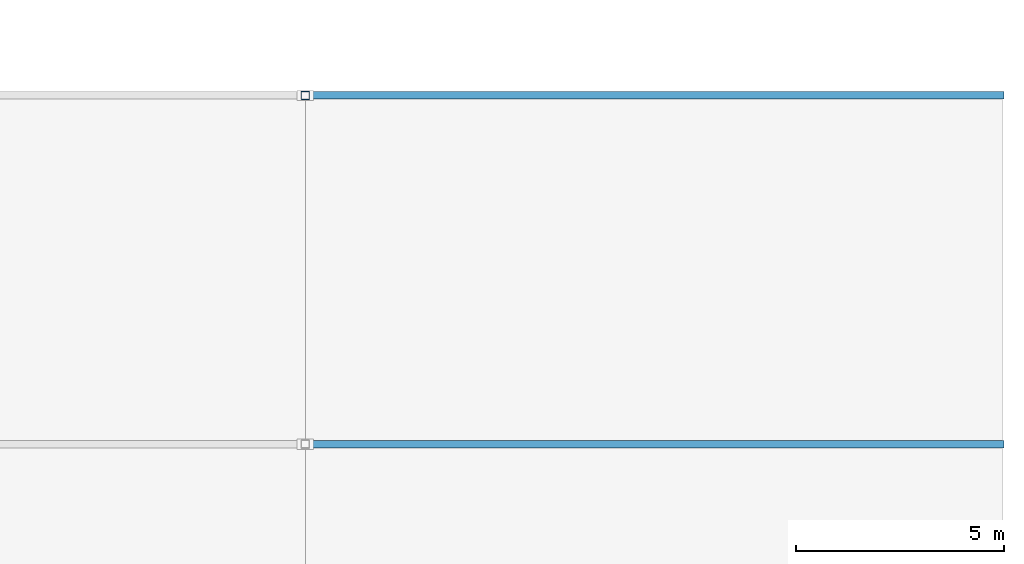
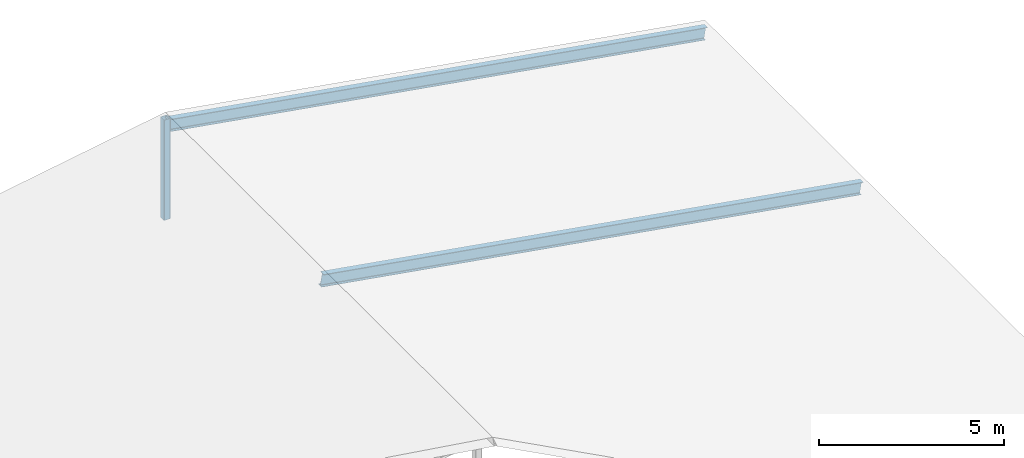
# One storey, part 14 of 31: 2 beams, 1 member.
"""IFC4 building model written with IfcOpenShell, lengths in metres."""

from ifc_helpers import new_model, si_unit, direction, frame, origin, origin_2d, place, context, subcontext, project, spatial, hollow_rectangle, i_section, extrude, material, material_profile, profile_set, type_object, element, save


model = new_model("IFC4")

# Units and contexts
model_context = context("Model", 3, precision=1e-05, world=origin(), true_north=direction((0.0, 1.0)))
body_context = subcontext(model_context, "Body", "Model", "MODEL_VIEW")
ifc_project = project(units=[si_unit("LENGTHUNIT", "METRE"), si_unit("AREAUNIT", "SQUARE_METRE"), si_unit("VOLUMEUNIT", "CUBIC_METRE"), si_unit("PLANEANGLEUNIT", "RADIAN"), si_unit("MASSUNIT", "GRAM", prefix="KILO")], contexts=[model_context])

# Site, building, storey
site_placement = place(None, origin())
site = spatial("IfcSite", under=ifc_project, at=site_placement, CompositionType="ELEMENT")
building_placement = place(site_placement, origin())
building = spatial("IfcBuilding", under=site, at=building_placement, Name="Varnapada Polytechnic", CompositionType="ELEMENT")
storey_placement = place(building_placement, frame((0.0, 0.0, 22.199951171875)))
storey = spatial("IfcBuildingStorey", under=building, at=storey_placement, Name="L05", CompositionType="ELEMENT", Elevation=22.199951171875)

# Beams
ifc_material = material(Name="Steel S355", Category="steel")
ifc_material_profile_1 = material_profile(ifc_material, i_section(OverallWidth=0.179931640625, OverallDepth=0.39990234375, WebThickness=0.008544921875, FlangeThickness=0.013427734375, FilletRadius=0.02099609375, at=origin_2d()), Name="IPE 400")
ifc_profile_set_1 = profile_set([ifc_material_profile_1], Name="Steel S355")
beam_type = type_object("IfcBeamType", Name="Library hipped roof rafter SB-06 (IPE 400)", PredefinedType="BEAM", material=ifc_profile_set_1)
for number, where, z_axis, x_axis, name in (
    (1, (176.39990234375, 109.199951171875, 0.2099609375), (-0.986009413701, 0.0, 0.166689640028), (0.0, -1.0, 0.0), "Library east pitched rafter Y14"),
    (2, (176.39990234375, 117.60009765625, 0.2099609375), (-0.986009413701, 0.0, 0.166689640028), (0.0, -1.0, 0.0), "Library east pitched rafter Y15"),
):
    element("IfcBeam", number, at=place(storey_placement, frame(where, z_axis=z_axis, x_axis=x_axis)), inside=storey, type_object=beam_type, Name=name, PredefinedType="BEAM", context=body_context, shape_type="SweptSolid", body=[
        extrude(i_section(OverallWidth=0.179931640625, OverallDepth=0.39990234375, WebThickness=0.008544921875, FlangeThickness=0.013427734375, FilletRadius=0.02099609375, at=origin_2d()), origin(), (0.0, 0.0, 1.0), 17.0380859375),
    ])

# Member
ifc_material_profile_2 = material_profile(ifc_material, hollow_rectangle(XDim=0.199951171875, YDim=0.199951171875, WallThickness=0.008056640625, InnerFilletRadius=0.008056640625, OuterFilletRadius=0.01611328125, at=origin_2d()), Name="SHS 200x200x8")
ifc_profile_set_2 = profile_set([ifc_material_profile_2], Name="Steel S355")
member_type = type_object("IfcMemberType", Name="Roof clerestory king post SFP-01 (SHS 200x200x8)", PredefinedType="POST", material=ifc_profile_set_2)
member_placement = place(storey_placement, frame((159.60009765625, 117.60009765625, -0.02001953125), z_axis=(0.0, 0.0, 1.0), x_axis=(1.0, 0.0, 0.0)))
element("IfcMember", 3, at=member_placement, inside=storey, type_object=member_type, Name="Library ridge strut Y15", PredefinedType="POST", context=body_context, shape_type="SweptSolid", body=[
    extrude(hollow_rectangle(XDim=0.199951171875, YDim=0.199951171875, WallThickness=0.008056640625, InnerFilletRadius=0.008056640625, OuterFilletRadius=0.01611328125, at=origin_2d()), origin(), (0.0, 0.0, 1.0), 3.300048828125),
])

save(model, "model.ifc")
